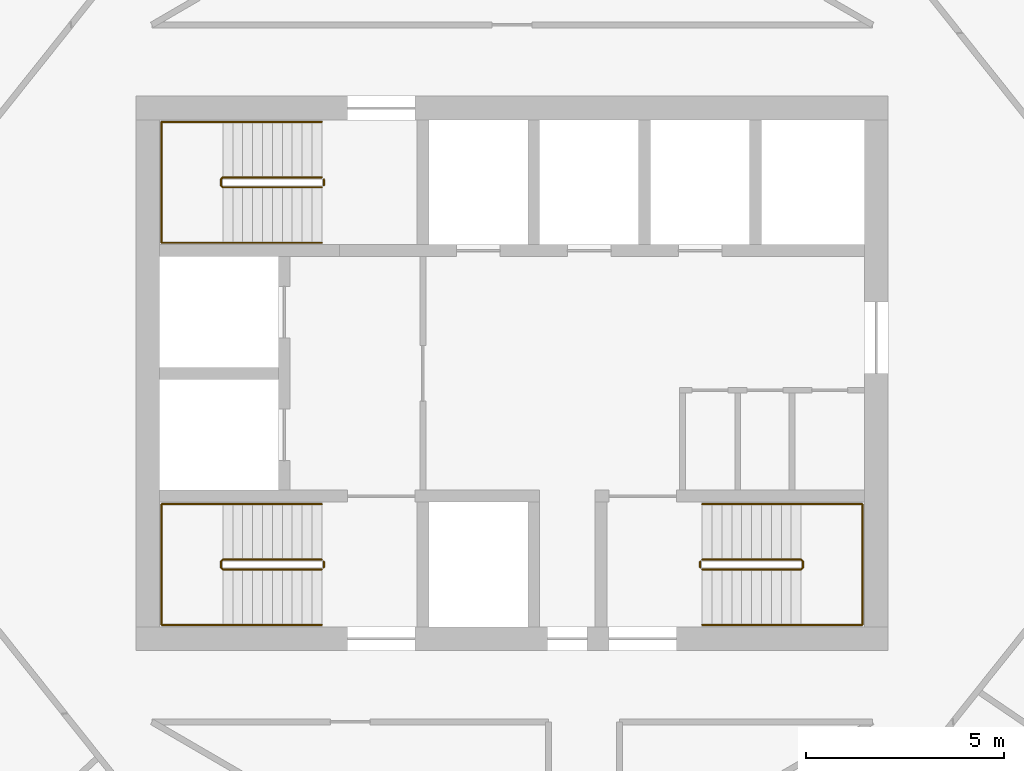
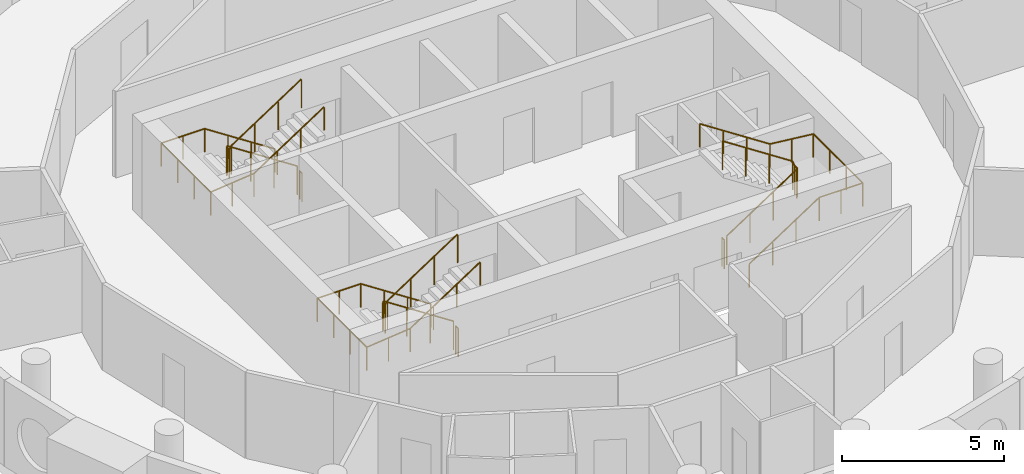
# One storey, part 13 of 13: 9 railings.
"""IFC4 building model written with IfcOpenShell, lengths in metres."""

from ifc_helpers import new_model, si_unit, direction, frame, origin, origin_2d, place, context, subcontext, project, spatial, circle, extrude, material, type_object, element, save


model = new_model("IFC4")

# Units and contexts
model_context = context("Model", 3, precision=1e-05, world=origin(), true_north=direction((0.0, 1.0)))
body_context = subcontext(model_context, "Body", "Model", "MODEL_VIEW")
ifc_project = project(units=[si_unit("LENGTHUNIT", "METRE"), si_unit("AREAUNIT", "SQUARE_METRE"), si_unit("VOLUMEUNIT", "CUBIC_METRE"), si_unit("PLANEANGLEUNIT", "RADIAN"), si_unit("MASSUNIT", "GRAM", prefix="KILO")], contexts=[model_context])

# Site, building, storey
site_placement = place(None, origin())
site = spatial("IfcSite", under=ifc_project, at=site_placement, CompositionType="ELEMENT")
building_placement = place(site_placement, origin())
building = spatial("IfcBuilding", under=site, at=building_placement, Name="Tracery Tower", CompositionType="ELEMENT")
storey_placement = place(building_placement, frame((0.0, 0.0, 298.199951171875)))
storey = spatial("IfcBuildingStorey", under=building, at=storey_placement, Name="L77", CompositionType="ELEMENT", Elevation=298.199951171875)

# Railings
ifc_material_1 = material(Name="Stainless steel and laminated glass", Category="steel")
railing_type_1 = type_object("IfcRailingType", Name="Stair guard 1100", PredefinedType="GUARDRAIL", material=ifc_material_1)
railing_1_placement = place(storey_placement, frame((-4.800048828125, -4.699951171875, 0.16357421875)))
element("IfcRailing", 1, at=railing_1_placement, inside=storey, type_object=railing_type_1, Name="L77 stair ST1 guard 1", PredefinedType="GUARDRAIL", context=body_context, shape_type="SweptSolid", body=[
    extrude(circle(Radius=0.02392578125, at=origin_2d()), frame((0.0, 0.0, 1.076171875), z_axis=(-0.83668449804, 0.0, 0.54768517484), x_axis=(0.0, -1.0, 0.0)), (0.0, 0.0, 1.0), 2.988037109375),
    extrude(circle(Radius=0.02392578125, at=origin_2d()), frame((-2.5, 0.0, 2.71240234375), z_axis=(-0.707106781187, -0.707106781187, 0.0), x_axis=(0.707106781187, -0.707106781187, 0.0)), (0.0, 0.0, 1.0), 0.07080078125),
    extrude(circle(Radius=0.02392578125, at=origin_2d()), frame((-2.550048828125, -0.050048828125, 2.71240234375), z_axis=(0.0, -1.0, 0.0), x_axis=(1.0, 0.0, 0.0)), (0.0, 0.0, 1.0), 0.14990234375),
    extrude(circle(Radius=0.02392578125, at=origin_2d()), frame((-2.550048828125, -0.199951171875, 2.71240234375), z_axis=(0.280808744504, -0.280808744504, 0.917765164963), x_axis=(0.707106781187, 0.707106781187, 0.0)), (0.0, 0.0, 1.0), 0.17822265625),
    extrude(circle(Radius=0.02392578125, at=origin_2d()), frame((-2.5, -0.25, 2.8759765625), z_axis=(0.83668449804, 0.0, 0.54768517484), x_axis=(0.0, 1.0, 0.0)), (0.0, 0.0, 1.0), 2.988037109375),
    extrude(circle(Radius=0.02099609375, at=origin_2d()), origin(), (0.0, 0.0, 1.0), 1.052001953125),
    extrude(circle(Radius=0.02099609375, at=origin_2d()), frame((-0.833251953125, 0.0, 0.54541015625)), (0.0, 0.0, 1.0), 1.052001953125),
    extrude(circle(Radius=0.02099609375, at=origin_2d()), frame((-1.666748046875, 0.0, 1.091064453125)), (0.0, 0.0, 1.0), 1.052001953125),
    extrude(circle(Radius=0.02099609375, at=origin_2d()), frame((-2.5, 0.0, 1.636474609375)), (0.0, 0.0, 1.0), 1.052001953125),
    extrude(circle(Radius=0.02099609375, at=origin_2d()), frame((-2.550048828125, -0.050048828125, 1.636474609375)), (0.0, 0.0, 1.0), 1.052001953125),
    extrude(circle(Radius=0.02099609375, at=origin_2d()), frame((-2.550048828125, -0.199951171875, 1.636474609375)), (0.0, 0.0, 1.0), 1.052001953125),
    extrude(circle(Radius=0.02099609375, at=origin_2d()), frame((-2.5, -0.25, 1.800048828125)), (0.0, 0.0, 1.0), 1.052001953125),
    extrude(circle(Radius=0.02099609375, at=origin_2d()), frame((-1.666748046875, -0.25, 2.345458984375)), (0.0, 0.0, 1.0), 1.052001953125),
    extrude(circle(Radius=0.02099609375, at=origin_2d()), frame((-0.833251953125, -0.25, 2.89111328125)), (0.0, 0.0, 1.0), 1.052001953125),
    extrude(circle(Radius=0.02099609375, at=origin_2d()), frame((0.0, -0.25, 3.4365234375)), (0.0, 0.0, 1.0), 1.052001953125),
])
railing_2_placement = place(storey_placement, frame((-4.75, -4.75, 0.0)))
element("IfcRailing", 2, at=railing_2_placement, inside=storey, type_object=railing_type_1, Name="L77 stair ST1 guard 2", PredefinedType="GUARDRAIL", context=body_context, shape_type="SweptSolid", body=[
    extrude(circle(Radius=0.02392578125, at=origin_2d()), frame((0.0, 0.0, 1.076171875), z_axis=(0.0, -1.0, 0.0), x_axis=(1.0, 0.0, 0.0)), (0.0, 0.0, 1.0), 0.14990234375),
    extrude(circle(Radius=0.02099609375, at=origin_2d()), origin(), (0.0, 0.0, 1.0), 1.052001953125),
    extrude(circle(Radius=0.02099609375, at=origin_2d()), frame((0.0, -0.14990234375, 0.0)), (0.0, 0.0, 1.0), 1.052001953125),
])
railing_3_placement = place(storey_placement, frame((-4.800048828125, 4.949951171875, 0.16357421875)))
element("IfcRailing", 3, at=railing_3_placement, inside=storey, type_object=railing_type_1, Name="L77 stair ST3 guard 1", PredefinedType="GUARDRAIL", context=body_context, shape_type="SweptSolid", body=[
    extrude(circle(Radius=0.02392578125, at=origin_2d()), frame((0.0, 0.0, 1.076171875), z_axis=(-0.83668449804, 0.0, 0.54768517484), x_axis=(0.0, -1.0, 0.0)), (0.0, 0.0, 1.0), 2.988037109375),
    extrude(circle(Radius=0.02392578125, at=origin_2d()), frame((-2.5, 0.0, 2.71240234375), z_axis=(-0.707106781187, -0.707106781187, 0.0), x_axis=(0.707106781187, -0.707106781187, 0.0)), (0.0, 0.0, 1.0), 0.07080078125),
    extrude(circle(Radius=0.02392578125, at=origin_2d()), frame((-2.550048828125, -0.050048828125, 2.71240234375), z_axis=(0.0, -1.0, 0.0), x_axis=(1.0, 0.0, 0.0)), (0.0, 0.0, 1.0), 0.14990234375),
    extrude(circle(Radius=0.02392578125, at=origin_2d()), frame((-2.550048828125, -0.199951171875, 2.71240234375), z_axis=(0.280808744504, -0.280808744504, 0.917765164963), x_axis=(0.707106781187, 0.707106781187, 0.0)), (0.0, 0.0, 1.0), 0.17822265625),
    extrude(circle(Radius=0.02392578125, at=origin_2d()), frame((-2.5, -0.25, 2.8759765625), z_axis=(0.83668449804, 0.0, 0.54768517484), x_axis=(0.0, 1.0, 0.0)), (0.0, 0.0, 1.0), 2.988037109375),
    extrude(circle(Radius=0.02099609375, at=origin_2d()), origin(), (0.0, 0.0, 1.0), 1.052001953125),
    extrude(circle(Radius=0.02099609375, at=origin_2d()), frame((-0.833251953125, 0.0, 0.54541015625)), (0.0, 0.0, 1.0), 1.052001953125),
    extrude(circle(Radius=0.02099609375, at=origin_2d()), frame((-1.666748046875, 0.0, 1.091064453125)), (0.0, 0.0, 1.0), 1.052001953125),
    extrude(circle(Radius=0.02099609375, at=origin_2d()), frame((-2.5, 0.0, 1.636474609375)), (0.0, 0.0, 1.0), 1.052001953125),
    extrude(circle(Radius=0.02099609375, at=origin_2d()), frame((-2.550048828125, -0.050048828125, 1.636474609375)), (0.0, 0.0, 1.0), 1.052001953125),
    extrude(circle(Radius=0.02099609375, at=origin_2d()), frame((-2.550048828125, -0.199951171875, 1.636474609375)), (0.0, 0.0, 1.0), 1.052001953125),
    extrude(circle(Radius=0.02099609375, at=origin_2d()), frame((-2.5, -0.25, 1.800048828125)), (0.0, 0.0, 1.0), 1.052001953125),
    extrude(circle(Radius=0.02099609375, at=origin_2d()), frame((-1.666748046875, -0.25, 2.345458984375)), (0.0, 0.0, 1.0), 1.052001953125),
    extrude(circle(Radius=0.02099609375, at=origin_2d()), frame((-0.833251953125, -0.25, 2.89111328125)), (0.0, 0.0, 1.0), 1.052001953125),
    extrude(circle(Radius=0.02099609375, at=origin_2d()), frame((0.0, -0.25, 3.4365234375)), (0.0, 0.0, 1.0), 1.052001953125),
])
railing_4_placement = place(storey_placement, frame((-4.75, 4.89990234375, 0.0)))
element("IfcRailing", 4, at=railing_4_placement, inside=storey, type_object=railing_type_1, Name="L77 stair ST3 guard 2", PredefinedType="GUARDRAIL", context=body_context, shape_type="SweptSolid", body=[
    extrude(circle(Radius=0.02392578125, at=origin_2d()), frame((0.0, 0.0, 1.076171875), z_axis=(0.0, -1.0, 0.0), x_axis=(1.0, 0.0, 0.0)), (0.0, 0.0, 1.0), 0.14990234375),
    extrude(circle(Radius=0.02099609375, at=origin_2d()), origin(), (0.0, 0.0, 1.0), 1.052001953125),
    extrude(circle(Radius=0.02099609375, at=origin_2d()), frame((0.0, -0.14990234375, 0.0)), (0.0, 0.0, 1.0), 1.052001953125),
])
railing_5_placement = place(storey_placement, frame((4.800048828125, -4.949951171875, 0.16357421875)))
element("IfcRailing", 5, at=railing_5_placement, inside=storey, type_object=railing_type_1, Name="L77 stair ST2 guard 1", PredefinedType="GUARDRAIL", context=body_context, shape_type="SweptSolid", body=[
    extrude(circle(Radius=0.02392578125, at=origin_2d()), frame((0.0, 0.0, 1.076171875), z_axis=(0.83668449804, 0.0, 0.54768517484), x_axis=(0.0, 1.0, 0.0)), (0.0, 0.0, 1.0), 2.988037109375),
    extrude(circle(Radius=0.02392578125, at=origin_2d()), frame((2.5, 0.0, 2.71240234375), z_axis=(0.707106781187, 0.707106781187, 0.0), x_axis=(-0.707106781187, 0.707106781187, 0.0)), (0.0, 0.0, 1.0), 0.07080078125),
    extrude(circle(Radius=0.02392578125, at=origin_2d()), frame((2.550048828125, 0.050048828125, 2.71240234375), z_axis=(0.0, 1.0, 0.0), x_axis=(-1.0, 0.0, 0.0)), (0.0, 0.0, 1.0), 0.14990234375),
    extrude(circle(Radius=0.02392578125, at=origin_2d()), frame((2.550048828125, 0.199951171875, 2.71240234375), z_axis=(-0.280808744504, 0.280808744504, 0.917765164963), x_axis=(-0.707106781187, -0.707106781187, 0.0)), (0.0, 0.0, 1.0), 0.17822265625),
    extrude(circle(Radius=0.02392578125, at=origin_2d()), frame((2.5, 0.25, 2.8759765625), z_axis=(-0.83668449804, 0.0, 0.54768517484), x_axis=(0.0, -1.0, 0.0)), (0.0, 0.0, 1.0), 2.988037109375),
    extrude(circle(Radius=0.02099609375, at=origin_2d()), origin(), (0.0, 0.0, 1.0), 1.052001953125),
    extrude(circle(Radius=0.02099609375, at=origin_2d()), frame((0.833251953125, 0.0, 0.54541015625)), (0.0, 0.0, 1.0), 1.052001953125),
    extrude(circle(Radius=0.02099609375, at=origin_2d()), frame((1.666748046875, 0.0, 1.091064453125)), (0.0, 0.0, 1.0), 1.052001953125),
    extrude(circle(Radius=0.02099609375, at=origin_2d()), frame((2.5, 0.0, 1.636474609375)), (0.0, 0.0, 1.0), 1.052001953125),
    extrude(circle(Radius=0.02099609375, at=origin_2d()), frame((2.550048828125, 0.050048828125, 1.636474609375)), (0.0, 0.0, 1.0), 1.052001953125),
    extrude(circle(Radius=0.02099609375, at=origin_2d()), frame((2.550048828125, 0.199951171875, 1.636474609375)), (0.0, 0.0, 1.0), 1.052001953125),
    extrude(circle(Radius=0.02099609375, at=origin_2d()), frame((2.5, 0.25, 1.800048828125)), (0.0, 0.0, 1.0), 1.052001953125),
    extrude(circle(Radius=0.02099609375, at=origin_2d()), frame((1.666748046875, 0.25, 2.345458984375)), (0.0, 0.0, 1.0), 1.052001953125),
    extrude(circle(Radius=0.02099609375, at=origin_2d()), frame((0.833251953125, 0.25, 2.89111328125)), (0.0, 0.0, 1.0), 1.052001953125),
    extrude(circle(Radius=0.02099609375, at=origin_2d()), frame((0.0, 0.25, 3.4365234375)), (0.0, 0.0, 1.0), 1.052001953125),
])
railing_6_placement = place(storey_placement, frame((4.75, -4.89990234375, 0.0)))
element("IfcRailing", 6, at=railing_6_placement, inside=storey, type_object=railing_type_1, Name="L77 stair ST2 guard 2", PredefinedType="GUARDRAIL", context=body_context, shape_type="SweptSolid", body=[
    extrude(circle(Radius=0.02392578125, at=origin_2d()), frame((0.0, 0.0, 1.076171875), z_axis=(0.0, 1.0, 0.0), x_axis=(-1.0, 0.0, 0.0)), (0.0, 0.0, 1.0), 0.14990234375),
    extrude(circle(Radius=0.02099609375, at=origin_2d()), origin(), (0.0, 0.0, 1.0), 1.052001953125),
    extrude(circle(Radius=0.02099609375, at=origin_2d()), frame((0.0, 0.14990234375, 0.0)), (0.0, 0.0, 1.0), 1.052001953125),
])
ifc_material_2 = material(Name="Stainless steel and laminated glass", Category="steel")
railing_type_2 = type_object("IfcRailingType", Name="Stair handrail 900", PredefinedType="HANDRAIL", material=ifc_material_2)
railing_7_placement = place(storey_placement, frame((-4.800048828125, -3.300048828125, 0.16357421875)))
element("IfcRailing", 7, at=railing_7_placement, inside=storey, type_object=railing_type_2, Name="L77 stair ST1 handrail 1", PredefinedType="HANDRAIL", context=body_context, shape_type="SweptSolid", body=[
    extrude(circle(Radius=0.02392578125, at=origin_2d()), frame((0.0, 0.0, 0.8759765625), z_axis=(-0.83668449804, 0.0, 0.54768517484), x_axis=(0.0, -1.0, 0.0)), (0.0, 0.0, 1.0), 2.988037109375),
    extrude(circle(Radius=0.02392578125, at=origin_2d()), frame((-2.5, 0.0, 2.51220703125), z_axis=(-1.0, 0.0, 0.0), x_axis=(0.0, -1.0, 0.0)), (0.0, 0.0, 1.0), 1.550048828125),
    extrude(circle(Radius=0.02392578125, at=origin_2d()), frame((-4.050048828125, 0.0, 2.51220703125), z_axis=(0.0, -1.0, 0.0), x_axis=(1.0, 0.0, 0.0)), (0.0, 0.0, 1.0), 3.050048828125),
    extrude(circle(Radius=0.02392578125, at=origin_2d()), frame((-4.050048828125, -3.050048828125, 2.51220703125), z_axis=(0.994477953863, 0.0, 0.104945696817), x_axis=(0.0, 1.0, 0.0)), (0.0, 0.0, 1.0), 1.55859375),
    extrude(circle(Radius=0.02392578125, at=origin_2d()), frame((-2.5, -3.050048828125, 2.67578125), z_axis=(0.83668449804, 0.0, 0.54768517484), x_axis=(0.0, 1.0, 0.0)), (0.0, 0.0, 1.0), 2.988037109375),
    extrude(circle(Radius=0.02099609375, at=origin_2d()), origin(), (0.0, 0.0, 1.0), 0.851806640625),
    extrude(circle(Radius=0.02099609375, at=origin_2d()), frame((-0.833251953125, 0.0, 0.54541015625)), (0.0, 0.0, 1.0), 0.851806640625),
    extrude(circle(Radius=0.02099609375, at=origin_2d()), frame((-1.666748046875, 0.0, 1.091064453125)), (0.0, 0.0, 1.0), 0.851806640625),
    extrude(circle(Radius=0.02099609375, at=origin_2d()), frame((-2.5, 0.0, 1.636474609375)), (0.0, 0.0, 1.0), 0.851806640625),
    extrude(circle(Radius=0.02099609375, at=origin_2d()), frame((-3.27490234375, 0.0, 1.636474609375)), (0.0, 0.0, 1.0), 0.851806640625),
    extrude(circle(Radius=0.02099609375, at=origin_2d()), frame((-4.050048828125, 0.0, 1.636474609375)), (0.0, 0.0, 1.0), 0.851806640625),
    extrude(circle(Radius=0.02099609375, at=origin_2d()), frame((-4.050048828125, -1.0166015625, 1.636474609375)), (0.0, 0.0, 1.0), 0.851806640625),
    extrude(circle(Radius=0.02099609375, at=origin_2d()), frame((-4.050048828125, -2.033447265625, 1.636474609375)), (0.0, 0.0, 1.0), 0.851806640625),
    extrude(circle(Radius=0.02099609375, at=origin_2d()), frame((-4.050048828125, -3.050048828125, 1.636474609375)), (0.0, 0.0, 1.0), 0.851806640625),
    extrude(circle(Radius=0.02099609375, at=origin_2d()), frame((-3.27490234375, -3.050048828125, 1.71826171875)), (0.0, 0.0, 1.0), 0.851806640625),
    extrude(circle(Radius=0.02099609375, at=origin_2d()), frame((-2.5, -3.050048828125, 1.800048828125)), (0.0, 0.0, 1.0), 0.851806640625),
    extrude(circle(Radius=0.02099609375, at=origin_2d()), frame((-1.666748046875, -3.050048828125, 2.345458984375)), (0.0, 0.0, 1.0), 0.851806640625),
    extrude(circle(Radius=0.02099609375, at=origin_2d()), frame((-0.833251953125, -3.050048828125, 2.89111328125)), (0.0, 0.0, 1.0), 0.851806640625),
    extrude(circle(Radius=0.02099609375, at=origin_2d()), frame((0.0, -3.050048828125, 3.4365234375)), (0.0, 0.0, 1.0), 0.851806640625),
])
railing_8_placement = place(storey_placement, frame((-4.800048828125, 6.35009765625, 0.16357421875)))
element("IfcRailing", 8, at=railing_8_placement, inside=storey, type_object=railing_type_2, Name="L77 stair ST3 handrail 1", PredefinedType="HANDRAIL", context=body_context, shape_type="SweptSolid", body=[
    extrude(circle(Radius=0.02392578125, at=origin_2d()), frame((0.0, 0.0, 0.8759765625), z_axis=(-0.83668449804, 0.0, 0.54768517484), x_axis=(0.0, -1.0, 0.0)), (0.0, 0.0, 1.0), 2.988037109375),
    extrude(circle(Radius=0.02392578125, at=origin_2d()), frame((-2.5, 0.0, 2.51220703125), z_axis=(-1.0, 0.0, 0.0), x_axis=(0.0, -1.0, 0.0)), (0.0, 0.0, 1.0), 1.550048828125),
    extrude(circle(Radius=0.02392578125, at=origin_2d()), frame((-4.050048828125, 0.0, 2.51220703125), z_axis=(0.0, -1.0, 0.0), x_axis=(1.0, 0.0, 0.0)), (0.0, 0.0, 1.0), 3.050048828125),
    extrude(circle(Radius=0.02392578125, at=origin_2d()), frame((-4.050048828125, -3.050048828125, 2.51220703125), z_axis=(0.994477953863, 0.0, 0.104945696817), x_axis=(0.0, 1.0, 0.0)), (0.0, 0.0, 1.0), 1.55859375),
    extrude(circle(Radius=0.02392578125, at=origin_2d()), frame((-2.5, -3.050048828125, 2.67578125), z_axis=(0.83668449804, 0.0, 0.54768517484), x_axis=(0.0, 1.0, 0.0)), (0.0, 0.0, 1.0), 2.988037109375),
    extrude(circle(Radius=0.02099609375, at=origin_2d()), origin(), (0.0, 0.0, 1.0), 0.851806640625),
    extrude(circle(Radius=0.02099609375, at=origin_2d()), frame((-0.833251953125, 0.0, 0.54541015625)), (0.0, 0.0, 1.0), 0.851806640625),
    extrude(circle(Radius=0.02099609375, at=origin_2d()), frame((-1.666748046875, 0.0, 1.091064453125)), (0.0, 0.0, 1.0), 0.851806640625),
    extrude(circle(Radius=0.02099609375, at=origin_2d()), frame((-2.5, 0.0, 1.636474609375)), (0.0, 0.0, 1.0), 0.851806640625),
    extrude(circle(Radius=0.02099609375, at=origin_2d()), frame((-3.27490234375, 0.0, 1.636474609375)), (0.0, 0.0, 1.0), 0.851806640625),
    extrude(circle(Radius=0.02099609375, at=origin_2d()), frame((-4.050048828125, 0.0, 1.636474609375)), (0.0, 0.0, 1.0), 0.851806640625),
    extrude(circle(Radius=0.02099609375, at=origin_2d()), frame((-4.050048828125, -1.0166015625, 1.636474609375)), (0.0, 0.0, 1.0), 0.851806640625),
    extrude(circle(Radius=0.02099609375, at=origin_2d()), frame((-4.050048828125, -2.033447265625, 1.636474609375)), (0.0, 0.0, 1.0), 0.851806640625),
    extrude(circle(Radius=0.02099609375, at=origin_2d()), frame((-4.050048828125, -3.050048828125, 1.636474609375)), (0.0, 0.0, 1.0), 0.851806640625),
    extrude(circle(Radius=0.02099609375, at=origin_2d()), frame((-3.27490234375, -3.050048828125, 1.71826171875)), (0.0, 0.0, 1.0), 0.851806640625),
    extrude(circle(Radius=0.02099609375, at=origin_2d()), frame((-2.5, -3.050048828125, 1.800048828125)), (0.0, 0.0, 1.0), 0.851806640625),
    extrude(circle(Radius=0.02099609375, at=origin_2d()), frame((-1.666748046875, -3.050048828125, 2.345458984375)), (0.0, 0.0, 1.0), 0.851806640625),
    extrude(circle(Radius=0.02099609375, at=origin_2d()), frame((-0.833251953125, -3.050048828125, 2.89111328125)), (0.0, 0.0, 1.0), 0.851806640625),
    extrude(circle(Radius=0.02099609375, at=origin_2d()), frame((0.0, -3.050048828125, 3.4365234375)), (0.0, 0.0, 1.0), 0.851806640625),
])
railing_9_placement = place(storey_placement, frame((4.800048828125, -6.35009765625, 0.16357421875)))
element("IfcRailing", 9, at=railing_9_placement, inside=storey, type_object=railing_type_2, Name="L77 stair ST2 handrail 1", PredefinedType="HANDRAIL", context=body_context, shape_type="SweptSolid", body=[
    extrude(circle(Radius=0.02392578125, at=origin_2d()), frame((0.0, 0.0, 0.8759765625), z_axis=(0.83668449804, 0.0, 0.54768517484), x_axis=(0.0, 1.0, 0.0)), (0.0, 0.0, 1.0), 2.988037109375),
    extrude(circle(Radius=0.02392578125, at=origin_2d()), frame((2.5, 0.0, 2.51220703125), z_axis=(1.0, 0.0, 0.0), x_axis=(0.0, 1.0, 0.0)), (0.0, 0.0, 1.0), 1.550048828125),
    extrude(circle(Radius=0.02392578125, at=origin_2d()), frame((4.050048828125, 0.0, 2.51220703125), z_axis=(0.0, 1.0, 0.0), x_axis=(-1.0, 0.0, 0.0)), (0.0, 0.0, 1.0), 3.050048828125),
    extrude(circle(Radius=0.02392578125, at=origin_2d()), frame((4.050048828125, 3.050048828125, 2.51220703125), z_axis=(-0.994477953863, 0.0, 0.104945696817), x_axis=(0.0, -1.0, 0.0)), (0.0, 0.0, 1.0), 1.55859375),
    extrude(circle(Radius=0.02392578125, at=origin_2d()), frame((2.5, 3.050048828125, 2.67578125), z_axis=(-0.83668449804, 0.0, 0.54768517484), x_axis=(0.0, -1.0, 0.0)), (0.0, 0.0, 1.0), 2.988037109375),
    extrude(circle(Radius=0.02099609375, at=origin_2d()), origin(), (0.0, 0.0, 1.0), 0.851806640625),
    extrude(circle(Radius=0.02099609375, at=origin_2d()), frame((0.833251953125, 0.0, 0.54541015625)), (0.0, 0.0, 1.0), 0.851806640625),
    extrude(circle(Radius=0.02099609375, at=origin_2d()), frame((1.666748046875, 0.0, 1.091064453125)), (0.0, 0.0, 1.0), 0.851806640625),
    extrude(circle(Radius=0.02099609375, at=origin_2d()), frame((2.5, 0.0, 1.636474609375)), (0.0, 0.0, 1.0), 0.851806640625),
    extrude(circle(Radius=0.02099609375, at=origin_2d()), frame((3.27490234375, 0.0, 1.636474609375)), (0.0, 0.0, 1.0), 0.851806640625),
    extrude(circle(Radius=0.02099609375, at=origin_2d()), frame((4.050048828125, 0.0, 1.636474609375)), (0.0, 0.0, 1.0), 0.851806640625),
    extrude(circle(Radius=0.02099609375, at=origin_2d()), frame((4.050048828125, 1.0166015625, 1.636474609375)), (0.0, 0.0, 1.0), 0.851806640625),
    extrude(circle(Radius=0.02099609375, at=origin_2d()), frame((4.050048828125, 2.033447265625, 1.636474609375)), (0.0, 0.0, 1.0), 0.851806640625),
    extrude(circle(Radius=0.02099609375, at=origin_2d()), frame((4.050048828125, 3.050048828125, 1.636474609375)), (0.0, 0.0, 1.0), 0.851806640625),
    extrude(circle(Radius=0.02099609375, at=origin_2d()), frame((3.27490234375, 3.050048828125, 1.71826171875)), (0.0, 0.0, 1.0), 0.851806640625),
    extrude(circle(Radius=0.02099609375, at=origin_2d()), frame((2.5, 3.050048828125, 1.800048828125)), (0.0, 0.0, 1.0), 0.851806640625),
    extrude(circle(Radius=0.02099609375, at=origin_2d()), frame((1.666748046875, 3.050048828125, 2.345458984375)), (0.0, 0.0, 1.0), 0.851806640625),
    extrude(circle(Radius=0.02099609375, at=origin_2d()), frame((0.833251953125, 3.050048828125, 2.89111328125)), (0.0, 0.0, 1.0), 0.851806640625),
    extrude(circle(Radius=0.02099609375, at=origin_2d()), frame((0.0, 3.050048828125, 3.4365234375)), (0.0, 0.0, 1.0), 0.851806640625),
])

save(model, "model.ifc")
